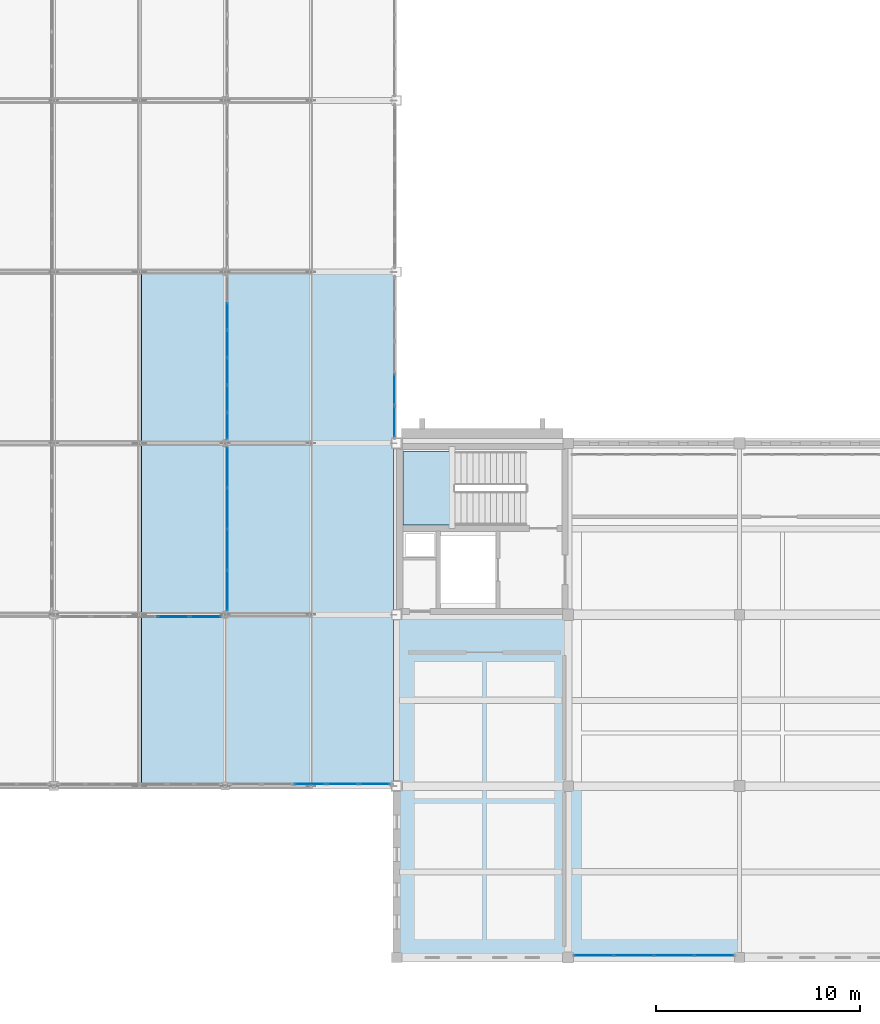
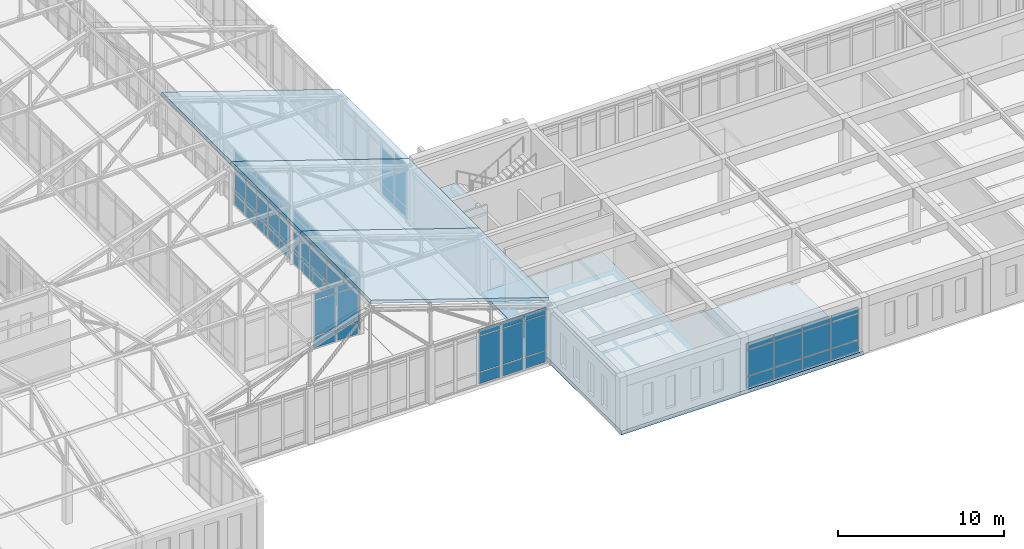
# One storey, part 115 of 192: 59 plates, 5 slabs, 7 elements without a shape of their own.
"""IFC4 building model written with IfcOpenShell, lengths in metres."""

from ifc_helpers import new_model, si_unit, direction, frame, origin, origin_2d, place, context, subcontext, project, spatial, polyline, rectangle, outline, extrude, material, layer, layer_set, type_object, element, aggregate, save


model = new_model("IFC4")

# Units and contexts
model_context = context("Model", 3, precision=1e-05, world=origin(), true_north=direction((0.0, 1.0)))
body_context = subcontext(model_context, "Body", "Model", "MODEL_VIEW")
ifc_project = project(units=[si_unit("LENGTHUNIT", "METRE"), si_unit("AREAUNIT", "SQUARE_METRE"), si_unit("VOLUMEUNIT", "CUBIC_METRE"), si_unit("PLANEANGLEUNIT", "RADIAN"), si_unit("MASSUNIT", "GRAM", prefix="KILO")], contexts=[model_context])

# Site, building, storey
site_placement = place(None, origin())
site = spatial("IfcSite", under=ifc_project, at=site_placement, CompositionType="ELEMENT")
building_placement = place(site_placement, origin())
building = spatial("IfcBuilding", under=site, at=building_placement, Name="Kveldsbrygga Polytechnic", CompositionType="ELEMENT")
storey_placement = place(building_placement, frame((0.0, 0.0, 5.43994140625)))
storey = spatial("IfcBuildingStorey", under=building, at=storey_placement, Name="L01", CompositionType="ELEMENT", Elevation=5.43994140625)

# Curtain wall, plates
ifc_material_1 = material(Name="Anodised aluminium AW-6060", Category="aluminium")
ifc_layer_1 = layer(ifc_material_1, 0.179931640625)
ifc_layer_set_1 = layer_set([ifc_layer_1], Name="Anodised aluminium AW-6060")
curtain_wall_type_1 = type_object("IfcCurtainWallType", Name="CW-LANC-D", PredefinedType="USERDEFINED", material=ifc_layer_set_1)
curtain_wall_1_placement = place(storey_placement, origin())
curtain_wall_1 = element("IfcCurtainWall", 1, at=curtain_wall_1_placement, inside=storey, type_object=curtain_wall_type_1, Name="Curtain Wall CW-L01-X-07-02", ObjectType="UNITISED CURTAIN WALL", PredefinedType="USERDEFINED")
ifc_material_2 = material(Name="Insulated triple low-E glass", Category="glass")
ifc_layer_2 = layer(ifc_material_2, 0.035888671875)
ifc_layer_set_2 = layer_set([ifc_layer_2], Name="Insulated triple low-E glass")
plate_type_1 = type_object("IfcPlateType", Name="CW-PAN-VIS36", PredefinedType="CURTAIN_PANEL", material=ifc_layer_set_2)
plate_1_placement = place(storey_placement, frame((64.64404296875, 16.699951171875, 0.06005859375), z_axis=(0.0, 0.0, 1.0), x_axis=(1.0, 0.0, 0.0)))
plate_1 = element("IfcPlate", 2, at=plate_1_placement, type_object=plate_type_1, Name="CW-04 panel 4.1", PredefinedType="CURTAIN_PANEL", context=body_context, shape_type="SweptSolid", body=[
    extrude(rectangle(XDim=1.5390625, YDim=0.035888671875, at=origin_2d()), origin(), (0.0, 0.0, 1.0), 0.81005859375),
])
plate_2_placement = place(storey_placement, frame((64.64404296875, 16.699951171875, 0.93017578125), z_axis=(0.0, 0.0, 1.0), x_axis=(1.0, 0.0, 0.0)))
plate_2 = element("IfcPlate", 3, at=plate_2_placement, type_object=plate_type_1, Name="CW-04 panel 4.2", PredefinedType="CURTAIN_PANEL", context=body_context, shape_type="SweptSolid", body=[
    extrude(rectangle(XDim=1.5390625, YDim=0.035888671875, at=origin_2d()), origin(), (0.0, 0.0, 1.0), 2.610107421875),
])
plate_3_placement = place(storey_placement, frame((64.64404296875, 16.699951171875, 3.60009765625), z_axis=(0.0, 0.0, 1.0), x_axis=(1.0, 0.0, 0.0)))
plate_3 = element("IfcPlate", 4, at=plate_3_placement, type_object=plate_type_1, Name="CW-04 panel 4.3", PredefinedType="CURTAIN_PANEL", context=body_context, shape_type="SweptSolid", body=[
    extrude(rectangle(XDim=1.5390625, YDim=0.035888671875, at=origin_2d()), origin(), (0.0, 0.0, 1.0), 0.4599609375),
])
plate_4_placement = place(storey_placement, frame((66.2392578125, 16.699951171875, 0.06005859375), z_axis=(0.0, 0.0, 1.0), x_axis=(1.0, 0.0, 0.0)))
plate_4 = element("IfcPlate", 5, at=plate_4_placement, type_object=plate_type_1, Name="CW-04 panel 5.1", PredefinedType="CURTAIN_PANEL", context=body_context, shape_type="SweptSolid", body=[
    extrude(rectangle(XDim=1.50146484375, YDim=0.035888671875, at=origin_2d()), origin(), (0.0, 0.0, 1.0), 0.81005859375),
])
plate_5_placement = place(storey_placement, frame((66.2392578125, 16.699951171875, 0.93017578125), z_axis=(0.0, 0.0, 1.0), x_axis=(1.0, 0.0, 0.0)))
plate_5 = element("IfcPlate", 6, at=plate_5_placement, type_object=plate_type_1, Name="CW-04 panel 5.2", PredefinedType="CURTAIN_PANEL", context=body_context, shape_type="SweptSolid", body=[
    extrude(rectangle(XDim=1.50146484375, YDim=0.035888671875, at=origin_2d()), origin(), (0.0, 0.0, 1.0), 2.610107421875),
])
plate_6_placement = place(storey_placement, frame((66.2392578125, 16.699951171875, 3.60009765625), z_axis=(0.0, 0.0, 1.0), x_axis=(1.0, 0.0, 0.0)))
plate_6 = element("IfcPlate", 7, at=plate_6_placement, type_object=plate_type_1, Name="CW-04 panel 5.3", PredefinedType="CURTAIN_PANEL", context=body_context, shape_type="SweptSolid", body=[
    extrude(rectangle(XDim=1.50146484375, YDim=0.035888671875, at=origin_2d()), origin(), (0.0, 0.0, 1.0), 0.4599609375),
])
aggregate(curtain_wall_1, [plate_1, plate_2, plate_3, plate_4, plate_5, plate_6])

curtain_wall_2_placement = place(storey_placement, origin())
curtain_wall_2 = element("IfcCurtainWall", 8, at=curtain_wall_2_placement, inside=storey, type_object=curtain_wall_type_1, Name="Curtain Wall CW-L01-X-08-01", ObjectType="UNITISED CURTAIN WALL", PredefinedType="USERDEFINED")
plate_7_placement = place(storey_placement, frame((71.362548828125, 8.5, 0.06005859375), z_axis=(0.0, 0.0, 1.0), x_axis=(1.0, 0.0, 0.0)))
plate_7 = element("IfcPlate", 9, at=plate_7_placement, type_object=plate_type_1, Name="CW-04 panel 3.1", PredefinedType="CURTAIN_PANEL", context=body_context, shape_type="SweptSolid", body=[
    extrude(rectangle(XDim=1.51611328125, YDim=0.035888671875, at=origin_2d()), origin(), (0.0, 0.0, 1.0), 0.81005859375),
])
plate_8_placement = place(storey_placement, frame((71.362548828125, 8.5, 0.93017578125), z_axis=(0.0, 0.0, 1.0), x_axis=(1.0, 0.0, 0.0)))
plate_8 = element("IfcPlate", 10, at=plate_8_placement, type_object=plate_type_1, Name="CW-04 panel 3.2", PredefinedType="CURTAIN_PANEL", context=body_context, shape_type="SweptSolid", body=[
    extrude(rectangle(XDim=1.51611328125, YDim=0.035888671875, at=origin_2d()), origin(), (0.0, 0.0, 1.0), 2.610107421875),
])
plate_9_placement = place(storey_placement, frame((71.362548828125, 8.5, 3.60009765625), z_axis=(0.0, 0.0, 1.0), x_axis=(1.0, 0.0, 0.0)))
plate_9 = element("IfcPlate", 11, at=plate_9_placement, type_object=plate_type_1, Name="CW-04 panel 3.3", PredefinedType="CURTAIN_PANEL", context=body_context, shape_type="SweptSolid", body=[
    extrude(rectangle(XDim=1.51611328125, YDim=0.035888671875, at=origin_2d()), origin(), (0.0, 0.0, 1.0), 0.4599609375),
])
plate_10_placement = place(storey_placement, frame((72.95361328125, 8.5, 0.06005859375), z_axis=(0.0, 0.0, 1.0), x_axis=(1.0, 0.0, 0.0)))
plate_10 = element("IfcPlate", 12, at=plate_10_placement, type_object=plate_type_1, Name="CW-04 panel 4.1", PredefinedType="CURTAIN_PANEL", context=body_context, shape_type="SweptSolid", body=[
    extrude(rectangle(XDim=1.51611328125, YDim=0.035888671875, at=origin_2d()), origin(), (0.0, 0.0, 1.0), 0.81005859375),
])
plate_11_placement = place(storey_placement, frame((72.95361328125, 8.5, 0.93017578125), z_axis=(0.0, 0.0, 1.0), x_axis=(1.0, 0.0, 0.0)))
plate_11 = element("IfcPlate", 13, at=plate_11_placement, type_object=plate_type_1, Name="CW-04 panel 4.2", PredefinedType="CURTAIN_PANEL", context=body_context, shape_type="SweptSolid", body=[
    extrude(rectangle(XDim=1.51611328125, YDim=0.035888671875, at=origin_2d()), origin(), (0.0, 0.0, 1.0), 2.610107421875),
])
plate_12_placement = place(storey_placement, frame((72.95361328125, 8.5, 3.60009765625), z_axis=(0.0, 0.0, 1.0), x_axis=(1.0, 0.0, 0.0)))
plate_12 = element("IfcPlate", 14, at=plate_12_placement, type_object=plate_type_1, Name="CW-04 panel 4.3", PredefinedType="CURTAIN_PANEL", context=body_context, shape_type="SweptSolid", body=[
    extrude(rectangle(XDim=1.51611328125, YDim=0.035888671875, at=origin_2d()), origin(), (0.0, 0.0, 1.0), 0.4599609375),
])
plate_13_placement = place(storey_placement, frame((74.525634765625, 8.5, 0.06005859375), z_axis=(0.0, 0.0, 1.0), x_axis=(1.0, 0.0, 0.0)))
plate_13 = element("IfcPlate", 15, at=plate_13_placement, type_object=plate_type_1, Name="CW-04 panel 5.1", PredefinedType="CURTAIN_PANEL", context=body_context, shape_type="SweptSolid", body=[
    extrude(rectangle(XDim=1.478515625, YDim=0.035888671875, at=origin_2d()), origin(), (0.0, 0.0, 1.0), 0.81005859375),
])
plate_14_placement = place(storey_placement, frame((74.525634765625, 8.5, 0.93017578125), z_axis=(0.0, 0.0, 1.0), x_axis=(1.0, 0.0, 0.0)))
plate_14 = element("IfcPlate", 16, at=plate_14_placement, type_object=plate_type_1, Name="CW-04 panel 5.2", PredefinedType="CURTAIN_PANEL", context=body_context, shape_type="SweptSolid", body=[
    extrude(rectangle(XDim=1.478515625, YDim=0.035888671875, at=origin_2d()), origin(), (0.0, 0.0, 1.0), 2.610107421875),
])
plate_15_placement = place(storey_placement, frame((74.525634765625, 8.5, 3.60009765625), z_axis=(0.0, 0.0, 1.0), x_axis=(1.0, 0.0, 0.0)))
plate_15 = element("IfcPlate", 17, at=plate_15_placement, type_object=plate_type_1, Name="CW-04 panel 5.3", PredefinedType="CURTAIN_PANEL", context=body_context, shape_type="SweptSolid", body=[
    extrude(rectangle(XDim=1.478515625, YDim=0.035888671875, at=origin_2d()), origin(), (0.0, 0.0, 1.0), 0.4599609375),
])
aggregate(curtain_wall_2, [plate_7, plate_8, plate_9, plate_10, plate_11, plate_12, plate_13, plate_14, plate_15])

ifc_layer_3 = layer(ifc_material_1, 0.18994140625)
ifc_layer_set_3 = layer_set([ifc_layer_3], Name="Anodised aluminium AW-6060")
curtain_wall_type_2 = type_object("IfcCurtainWallType", Name="CW-REFC-G", PredefinedType="USERDEFINED", material=ifc_layer_set_3)
curtain_wall_3_placement = place(storey_placement, origin())
curtain_wall_3 = element("IfcCurtainWall", 18, at=curtain_wall_3_placement, inside=storey, type_object=curtain_wall_type_2, Name="Curtain Wall CW-L01-Y-09-03", ObjectType="UNITISED CURTAIN WALL", PredefinedType="USERDEFINED")
plate_16_placement = place(storey_placement, frame((75.5, 26.270263671875, 0.06005859375), z_axis=(0.0, 0.0, 1.0), x_axis=(0.0, 1.0, 0.0)))
plate_16 = element("IfcPlate", 19, at=plate_16_placement, type_object=plate_type_1, Name="CW-07 panel 1.1", PredefinedType="CURTAIN_PANEL", context=body_context, shape_type="SweptSolid", body=[
    extrude(rectangle(XDim=1.470458984375, YDim=0.035888671875, at=origin_2d()), origin(), (0.0, 0.0, 1.0), 0.81005859375),
])
plate_17_placement = place(storey_placement, frame((75.5, 26.270263671875, 0.93017578125), z_axis=(0.0, 0.0, 1.0), x_axis=(0.0, 1.0, 0.0)))
plate_17 = element("IfcPlate", 20, at=plate_17_placement, type_object=plate_type_1, Name="CW-07 panel 1.2", PredefinedType="CURTAIN_PANEL", context=body_context, shape_type="SweptSolid", body=[
    extrude(rectangle(XDim=1.470458984375, YDim=0.035888671875, at=origin_2d()), origin(), (0.0, 0.0, 1.0), 2.610107421875),
])
plate_18_placement = place(storey_placement, frame((75.5, 26.270263671875, 3.60009765625), z_axis=(0.0, 0.0, 1.0), x_axis=(0.0, 1.0, 0.0)))
plate_18 = element("IfcPlate", 21, at=plate_18_placement, type_object=plate_type_1, Name="CW-07 panel 1.3", PredefinedType="CURTAIN_PANEL", context=body_context, shape_type="SweptSolid", body=[
    extrude(rectangle(XDim=1.470458984375, YDim=0.035888671875, at=origin_2d()), origin(), (0.0, 0.0, 1.0), 0.4599609375),
])
plate_19_placement = place(storey_placement, frame((75.5, 27.83447265625, 0.06005859375), z_axis=(0.0, 0.0, 1.0), x_axis=(0.0, 1.0, 0.0)))
plate_19 = element("IfcPlate", 22, at=plate_19_placement, type_object=plate_type_1, Name="CW-07 panel 2.1", PredefinedType="CURTAIN_PANEL", context=body_context, shape_type="SweptSolid", body=[
    extrude(rectangle(XDim=1.508056640625, YDim=0.035888671875, at=origin_2d()), origin(), (0.0, 0.0, 1.0), 0.81005859375),
])
plate_20_placement = place(storey_placement, frame((75.5, 27.83447265625, 0.93017578125), z_axis=(0.0, 0.0, 1.0), x_axis=(0.0, 1.0, 0.0)))
plate_20 = element("IfcPlate", 23, at=plate_20_placement, type_object=plate_type_1, Name="CW-07 panel 2.2", PredefinedType="CURTAIN_PANEL", context=body_context, shape_type="SweptSolid", body=[
    extrude(rectangle(XDim=1.508056640625, YDim=0.035888671875, at=origin_2d()), origin(), (0.0, 0.0, 1.0), 2.610107421875),
])
aggregate(curtain_wall_3, [plate_16, plate_17, plate_18, plate_19, plate_20])

ifc_layer_4 = layer(ifc_material_1, 0.199951171875)
ifc_layer_set_4 = layer_set([ifc_layer_4], Name="Anodised aluminium AW-6060")
curtain_wall_type_3 = type_object("IfcCurtainWallType", Name="CW-LANC-E", PredefinedType="USERDEFINED", material=ifc_layer_set_4)
curtain_wall_4_placement = place(storey_placement, origin())
curtain_wall_4 = element("IfcCurtainWall", 24, at=curtain_wall_4_placement, inside=storey, type_object=curtain_wall_type_3, Name="Curtain Wall CW-L01-Y-08-02", ObjectType="UNITISED CURTAIN WALL", PredefinedType="USERDEFINED")
ifc_layer_5 = layer(ifc_material_2, 0.0419921875)
ifc_layer_set_5 = layer_set([ifc_layer_5], Name="Insulated triple low-E glass")
plate_type_2 = type_object("IfcPlateType", Name="CW-PAN-VIS42", PredefinedType="CURTAIN_PANEL", material=ifc_layer_set_5)
plate_21_placement = place(storey_placement, frame((67.300048828125, 17.981201171875, 0.06005859375), z_axis=(0.0, 0.0, 1.0), x_axis=(0.0, 1.0, 0.0)))
plate_21 = element("IfcPlate", 25, at=plate_21_placement, type_object=plate_type_2, Name="CW-05 panel 1.1", PredefinedType="CURTAIN_PANEL", context=body_context, shape_type="SweptSolid", body=[
    extrude(rectangle(XDim=1.9326171875, YDim=0.0419921875, at=origin_2d()), origin(), (0.0, 0.0, 1.0), 0.81005859375),
])
plate_22_placement = place(storey_placement, frame((67.300048828125, 17.981201171875, 0.93017578125), z_axis=(0.0, 0.0, 1.0), x_axis=(0.0, 1.0, 0.0)))
plate_22 = element("IfcPlate", 26, at=plate_22_placement, type_object=plate_type_2, Name="CW-05 panel 1.2", PredefinedType="CURTAIN_PANEL", context=body_context, shape_type="SweptSolid", body=[
    extrude(rectangle(XDim=1.9326171875, YDim=0.0419921875, at=origin_2d()), origin(), (0.0, 0.0, 1.0), 2.610107421875),
])
plate_23_placement = place(storey_placement, frame((67.300048828125, 17.981201171875, 3.60009765625), z_axis=(0.0, 0.0, 1.0), x_axis=(0.0, 1.0, 0.0)))
plate_23 = element("IfcPlate", 27, at=plate_23_placement, type_object=plate_type_2, Name="CW-05 panel 1.3", PredefinedType="CURTAIN_PANEL", context=body_context, shape_type="SweptSolid", body=[
    extrude(rectangle(XDim=1.9326171875, YDim=0.0419921875, at=origin_2d()), origin(), (0.0, 0.0, 1.0), 0.4599609375),
])
plate_24_placement = place(storey_placement, frame((67.300048828125, 19.98876953125, 0.06005859375), z_axis=(0.0, 0.0, 1.0), x_axis=(0.0, 1.0, 0.0)))
plate_24 = element("IfcPlate", 28, at=plate_24_placement, type_object=plate_type_2, Name="CW-05 panel 2.1", PredefinedType="CURTAIN_PANEL", context=body_context, shape_type="SweptSolid", body=[
    extrude(rectangle(XDim=1.96240234375, YDim=0.0419921875, at=origin_2d()), origin(), (0.0, 0.0, 1.0), 0.81005859375),
])
plate_25_placement = place(storey_placement, frame((67.300048828125, 19.98876953125, 0.93017578125), z_axis=(0.0, 0.0, 1.0), x_axis=(0.0, 1.0, 0.0)))
plate_25 = element("IfcPlate", 29, at=plate_25_placement, type_object=plate_type_2, Name="CW-05 panel 2.2", PredefinedType="CURTAIN_PANEL", context=body_context, shape_type="SweptSolid", body=[
    extrude(rectangle(XDim=1.96240234375, YDim=0.0419921875, at=origin_2d()), origin(), (0.0, 0.0, 1.0), 2.610107421875),
])
plate_26_placement = place(storey_placement, frame((67.300048828125, 19.98876953125, 3.60009765625), z_axis=(0.0, 0.0, 1.0), x_axis=(0.0, 1.0, 0.0)))
plate_26 = element("IfcPlate", 30, at=plate_26_placement, type_object=plate_type_2, Name="CW-05 panel 2.3", PredefinedType="CURTAIN_PANEL", context=body_context, shape_type="SweptSolid", body=[
    extrude(rectangle(XDim=1.96240234375, YDim=0.0419921875, at=origin_2d()), origin(), (0.0, 0.0, 1.0), 0.4599609375),
])
plate_27_placement = place(storey_placement, frame((67.300048828125, 22.01123046875, 0.06005859375), z_axis=(0.0, 0.0, 1.0), x_axis=(0.0, 1.0, 0.0)))
plate_27 = element("IfcPlate", 31, at=plate_27_placement, type_object=plate_type_2, Name="CW-05 panel 3.1", PredefinedType="CURTAIN_PANEL", context=body_context, shape_type="SweptSolid", body=[
    extrude(rectangle(XDim=1.96240234375, YDim=0.0419921875, at=origin_2d()), origin(), (0.0, 0.0, 1.0), 0.81005859375),
])
plate_28_placement = place(storey_placement, frame((67.300048828125, 22.01123046875, 0.93017578125), z_axis=(0.0, 0.0, 1.0), x_axis=(0.0, 1.0, 0.0)))
plate_28 = element("IfcPlate", 32, at=plate_28_placement, type_object=plate_type_2, Name="CW-05 panel 3.2", PredefinedType="CURTAIN_PANEL", context=body_context, shape_type="SweptSolid", body=[
    extrude(rectangle(XDim=1.96240234375, YDim=0.0419921875, at=origin_2d()), origin(), (0.0, 0.0, 1.0), 2.610107421875),
])
plate_29_placement = place(storey_placement, frame((67.300048828125, 22.01123046875, 3.60009765625), z_axis=(0.0, 0.0, 1.0), x_axis=(0.0, 1.0, 0.0)))
plate_29 = element("IfcPlate", 33, at=plate_29_placement, type_object=plate_type_2, Name="CW-05 panel 3.3", PredefinedType="CURTAIN_PANEL", context=body_context, shape_type="SweptSolid", body=[
    extrude(rectangle(XDim=1.96240234375, YDim=0.0419921875, at=origin_2d()), origin(), (0.0, 0.0, 1.0), 0.4599609375),
])
plate_30_placement = place(storey_placement, frame((67.300048828125, 24.018798828125, 0.06005859375), z_axis=(0.0, 0.0, 1.0), x_axis=(0.0, 1.0, 0.0)))
plate_30 = element("IfcPlate", 34, at=plate_30_placement, type_object=plate_type_2, Name="CW-05 panel 4.1", PredefinedType="CURTAIN_PANEL", context=body_context, shape_type="SweptSolid", body=[
    extrude(rectangle(XDim=1.9326171875, YDim=0.0419921875, at=origin_2d()), origin(), (0.0, 0.0, 1.0), 0.81005859375),
])
plate_31_placement = place(storey_placement, frame((67.300048828125, 24.018798828125, 0.93017578125), z_axis=(0.0, 0.0, 1.0), x_axis=(0.0, 1.0, 0.0)))
plate_31 = element("IfcPlate", 35, at=plate_31_placement, type_object=plate_type_2, Name="CW-05 panel 4.2", PredefinedType="CURTAIN_PANEL", context=body_context, shape_type="SweptSolid", body=[
    extrude(rectangle(XDim=1.9326171875, YDim=0.0419921875, at=origin_2d()), origin(), (0.0, 0.0, 1.0), 2.610107421875),
])
plate_32_placement = place(storey_placement, frame((67.300048828125, 24.018798828125, 3.60009765625), z_axis=(0.0, 0.0, 1.0), x_axis=(0.0, 1.0, 0.0)))
plate_32 = element("IfcPlate", 36, at=plate_32_placement, type_object=plate_type_2, Name="CW-05 panel 4.3", PredefinedType="CURTAIN_PANEL", context=body_context, shape_type="SweptSolid", body=[
    extrude(rectangle(XDim=1.9326171875, YDim=0.0419921875, at=origin_2d()), origin(), (0.0, 0.0, 1.0), 0.4599609375),
])
aggregate(curtain_wall_4, [plate_21, plate_22, plate_23, plate_24, plate_25, plate_26, plate_27, plate_28, plate_29, plate_30, plate_31, plate_32])

curtain_wall_5_placement = place(storey_placement, origin())
curtain_wall_5 = element("IfcCurtainWall", 37, at=curtain_wall_5_placement, inside=storey, type_object=curtain_wall_type_3, Name="Curtain Wall CW-L01-X-10-00", ObjectType="UNITISED CURTAIN WALL", PredefinedType="USERDEFINED")
plate_33_placement = place(storey_placement, frame((85.26318359375, 0.10009765625, 0.06005859375), z_axis=(0.0, 0.0, 1.0), x_axis=(1.0, 0.0, 0.0)))
plate_33 = element("IfcPlate", 38, at=plate_33_placement, type_object=plate_type_2, Name="CW-05 panel 1.1", PredefinedType="CURTAIN_PANEL", context=body_context, shape_type="SweptSolid", body=[
    extrude(rectangle(XDim=1.88623046875, YDim=0.0419921875, at=origin_2d()), origin(), (0.0, 0.0, 1.0), 0.81005859375),
])
plate_34_placement = place(storey_placement, frame((85.26318359375, 0.10009765625, 0.929931640625), z_axis=(0.0, 0.0, 1.0), x_axis=(1.0, 0.0, 0.0)))
plate_34 = element("IfcPlate", 39, at=plate_34_placement, type_object=plate_type_2, Name="CW-05 panel 1.2", PredefinedType="CURTAIN_PANEL", context=body_context, shape_type="SweptSolid", body=[
    extrude(rectangle(XDim=1.88623046875, YDim=0.0419921875, at=origin_2d()), origin(), (0.0, 0.0, 1.0), 1.8701171875),
])
plate_35_placement = place(storey_placement, frame((85.26318359375, 0.10009765625, 2.860107421875), z_axis=(0.0, 0.0, 1.0), x_axis=(1.0, 0.0, 0.0)))
plate_35 = element("IfcPlate", 40, at=plate_35_placement, type_object=plate_type_2, Name="CW-05 panel 1.3", PredefinedType="CURTAIN_PANEL", context=body_context, shape_type="SweptSolid", body=[
    extrude(rectangle(XDim=1.88623046875, YDim=0.0419921875, at=origin_2d()), origin(), (0.0, 0.0, 1.0), 0.4599609375),
])
plate_36_placement = place(storey_placement, frame((87.224365234375, 0.10009765625, 0.06005859375), z_axis=(0.0, 0.0, 1.0), x_axis=(1.0, 0.0, 0.0)))
plate_36 = element("IfcPlate", 41, at=plate_36_placement, type_object=plate_type_2, Name="CW-05 panel 2.1", PredefinedType="CURTAIN_PANEL", context=body_context, shape_type="SweptSolid", body=[
    extrude(rectangle(XDim=1.916259765625, YDim=0.0419921875, at=origin_2d()), origin(), (0.0, 0.0, 1.0), 0.81005859375),
])
plate_37_placement = place(storey_placement, frame((87.224365234375, 0.10009765625, 0.929931640625), z_axis=(0.0, 0.0, 1.0), x_axis=(1.0, 0.0, 0.0)))
plate_37 = element("IfcPlate", 42, at=plate_37_placement, type_object=plate_type_2, Name="CW-05 panel 2.2", PredefinedType="CURTAIN_PANEL", context=body_context, shape_type="SweptSolid", body=[
    extrude(rectangle(XDim=1.916259765625, YDim=0.0419921875, at=origin_2d()), origin(), (0.0, 0.0, 1.0), 1.8701171875),
])
plate_38_placement = place(storey_placement, frame((87.224365234375, 0.10009765625, 2.860107421875), z_axis=(0.0, 0.0, 1.0), x_axis=(1.0, 0.0, 0.0)))
plate_38 = element("IfcPlate", 43, at=plate_38_placement, type_object=plate_type_2, Name="CW-05 panel 2.3", PredefinedType="CURTAIN_PANEL", context=body_context, shape_type="SweptSolid", body=[
    extrude(rectangle(XDim=1.916259765625, YDim=0.0419921875, at=origin_2d()), origin(), (0.0, 0.0, 1.0), 0.4599609375),
])
plate_39_placement = place(storey_placement, frame((89.20068359375, 0.10009765625, 0.06005859375), z_axis=(0.0, 0.0, 1.0), x_axis=(1.0, 0.0, 0.0)))
plate_39 = element("IfcPlate", 44, at=plate_39_placement, type_object=plate_type_2, Name="CW-05 panel 3.1", PredefinedType="CURTAIN_PANEL", context=body_context, shape_type="SweptSolid", body=[
    extrude(rectangle(XDim=1.916259765625, YDim=0.0419921875, at=origin_2d()), origin(), (0.0, 0.0, 1.0), 0.81005859375),
])
plate_40_placement = place(storey_placement, frame((89.20068359375, 0.10009765625, 0.929931640625), z_axis=(0.0, 0.0, 1.0), x_axis=(1.0, 0.0, 0.0)))
plate_40 = element("IfcPlate", 45, at=plate_40_placement, type_object=plate_type_2, Name="CW-05 panel 3.2", PredefinedType="CURTAIN_PANEL", context=body_context, shape_type="SweptSolid", body=[
    extrude(rectangle(XDim=1.916259765625, YDim=0.0419921875, at=origin_2d()), origin(), (0.0, 0.0, 1.0), 1.8701171875),
])
plate_41_placement = place(storey_placement, frame((89.20068359375, 0.10009765625, 2.860107421875), z_axis=(0.0, 0.0, 1.0), x_axis=(1.0, 0.0, 0.0)))
plate_41 = element("IfcPlate", 46, at=plate_41_placement, type_object=plate_type_2, Name="CW-05 panel 3.3", PredefinedType="CURTAIN_PANEL", context=body_context, shape_type="SweptSolid", body=[
    extrude(rectangle(XDim=1.916259765625, YDim=0.0419921875, at=origin_2d()), origin(), (0.0, 0.0, 1.0), 0.4599609375),
])
plate_42_placement = place(storey_placement, frame((91.161865234375, 0.10009765625, 0.06005859375), z_axis=(0.0, 0.0, 1.0), x_axis=(1.0, 0.0, 0.0)))
plate_42 = element("IfcPlate", 47, at=plate_42_placement, type_object=plate_type_2, Name="CW-05 panel 4.1", PredefinedType="CURTAIN_PANEL", context=body_context, shape_type="SweptSolid", body=[
    extrude(rectangle(XDim=1.88623046875, YDim=0.0419921875, at=origin_2d()), origin(), (0.0, 0.0, 1.0), 0.81005859375),
])
plate_43_placement = place(storey_placement, frame((91.161865234375, 0.10009765625, 0.929931640625), z_axis=(0.0, 0.0, 1.0), x_axis=(1.0, 0.0, 0.0)))
plate_43 = element("IfcPlate", 48, at=plate_43_placement, type_object=plate_type_2, Name="CW-05 panel 4.2", PredefinedType="CURTAIN_PANEL", context=body_context, shape_type="SweptSolid", body=[
    extrude(rectangle(XDim=1.88623046875, YDim=0.0419921875, at=origin_2d()), origin(), (0.0, 0.0, 1.0), 1.8701171875),
])
plate_44_placement = place(storey_placement, frame((91.161865234375, 0.10009765625, 2.860107421875), z_axis=(0.0, 0.0, 1.0), x_axis=(1.0, 0.0, 0.0)))
plate_44 = element("IfcPlate", 49, at=plate_44_placement, type_object=plate_type_2, Name="CW-05 panel 4.3", PredefinedType="CURTAIN_PANEL", context=body_context, shape_type="SweptSolid", body=[
    extrude(rectangle(XDim=1.88623046875, YDim=0.0419921875, at=origin_2d()), origin(), (0.0, 0.0, 1.0), 0.4599609375),
])
aggregate(curtain_wall_5, [plate_33, plate_34, plate_35, plate_36, plate_37, plate_38, plate_39, plate_40, plate_41, plate_42, plate_43, plate_44])

ifc_layer_6 = layer(ifc_material_1, 0.169921875)
ifc_layer_set_6 = layer_set([ifc_layer_6], Name="Anodised aluminium AW-6060")
curtain_wall_type_4 = type_object("IfcCurtainWallType", Name="CW-FOYR-F", PredefinedType="USERDEFINED", material=ifc_layer_set_6)
curtain_wall_6_placement = place(storey_placement, origin())
curtain_wall_6 = element("IfcCurtainWall", 50, at=curtain_wall_6_placement, inside=storey, type_object=curtain_wall_type_4, Name="Curtain Wall CW-L01-Y-08-03", ObjectType="STICK CURTAIN WALL", PredefinedType="USERDEFINED")
ifc_layer_7 = layer(ifc_material_2, 0.048095703125)
ifc_layer_set_7 = layer_set([ifc_layer_7], Name="Insulated triple low-E glass")
plate_type_3 = type_object("IfcPlateType", Name="CW-PAN-VIS48", PredefinedType="CURTAIN_PANEL", material=ifc_layer_set_7)
plate_45_placement = place(storey_placement, frame((67.300048828125, 26.044189453125, 0.074951171875), z_axis=(0.0, 0.0, 1.0), x_axis=(0.0, 1.0, 0.0)))
plate_45 = element("IfcPlate", 51, at=plate_45_placement, type_object=plate_type_3, Name="CW-06 panel 1.1", PredefinedType="CURTAIN_PANEL", context=body_context, shape_type="SweptSolid", body=[
    extrude(rectangle(XDim=1.25830078125, YDim=0.048095703125, at=origin_2d()), origin(), (0.0, 0.0, 1.0), 0.78759765625),
])
plate_46_placement = place(storey_placement, frame((67.300048828125, 26.044189453125, 0.9375), z_axis=(0.0, 0.0, 1.0), x_axis=(0.0, 1.0, 0.0)))
plate_46 = element("IfcPlate", 52, at=plate_46_placement, type_object=plate_type_3, Name="CW-06 panel 1.2", PredefinedType="CURTAIN_PANEL", context=body_context, shape_type="SweptSolid", body=[
    extrude(rectangle(XDim=1.25830078125, YDim=0.048095703125, at=origin_2d()), origin(), (0.0, 0.0, 1.0), 2.594970703125),
])
plate_47_placement = place(storey_placement, frame((67.300048828125, 26.044189453125, 3.607666015625), z_axis=(0.0, 0.0, 1.0), x_axis=(0.0, 1.0, 0.0)))
plate_47 = element("IfcPlate", 53, at=plate_47_placement, type_object=plate_type_3, Name="CW-06 panel 1.3", PredefinedType="CURTAIN_PANEL", context=body_context, shape_type="SweptSolid", body=[
    extrude(rectangle(XDim=1.25830078125, YDim=0.048095703125, at=origin_2d()), origin(), (0.0, 0.0, 1.0), 0.4375),
])
plate_48_placement = place(storey_placement, frame((67.300048828125, 27.37744140625, 0.074951171875), z_axis=(0.0, 0.0, 1.0), x_axis=(0.0, 1.0, 0.0)))
plate_48 = element("IfcPlate", 54, at=plate_48_placement, type_object=plate_type_3, Name="CW-06 panel 2.1", PredefinedType="CURTAIN_PANEL", context=body_context, shape_type="SweptSolid", body=[
    extrude(rectangle(XDim=1.288330078125, YDim=0.048095703125, at=origin_2d()), origin(), (0.0, 0.0, 1.0), 0.78759765625),
])
plate_49_placement = place(storey_placement, frame((67.300048828125, 27.37744140625, 0.9375), z_axis=(0.0, 0.0, 1.0), x_axis=(0.0, 1.0, 0.0)))
plate_49 = element("IfcPlate", 55, at=plate_49_placement, type_object=plate_type_3, Name="CW-06 panel 2.2", PredefinedType="CURTAIN_PANEL", context=body_context, shape_type="SweptSolid", body=[
    extrude(rectangle(XDim=1.288330078125, YDim=0.048095703125, at=origin_2d()), origin(), (0.0, 0.0, 1.0), 2.594970703125),
])
plate_50_placement = place(storey_placement, frame((67.300048828125, 27.37744140625, 3.607666015625), z_axis=(0.0, 0.0, 1.0), x_axis=(0.0, 1.0, 0.0)))
plate_50 = element("IfcPlate", 56, at=plate_50_placement, type_object=plate_type_3, Name="CW-06 panel 2.3", PredefinedType="CURTAIN_PANEL", context=body_context, shape_type="SweptSolid", body=[
    extrude(rectangle(XDim=1.288330078125, YDim=0.048095703125, at=origin_2d()), origin(), (0.0, 0.0, 1.0), 0.4375),
])
plate_51_placement = place(storey_placement, frame((67.300048828125, 28.725830078125, 0.074951171875), z_axis=(0.0, 0.0, 1.0), x_axis=(0.0, 1.0, 0.0)))
plate_51 = element("IfcPlate", 57, at=plate_51_placement, type_object=plate_type_3, Name="CW-06 panel 3.1", PredefinedType="CURTAIN_PANEL", context=body_context, shape_type="SweptSolid", body=[
    extrude(rectangle(XDim=1.288330078125, YDim=0.048095703125, at=origin_2d()), origin(), (0.0, 0.0, 1.0), 0.78759765625),
])
plate_52_placement = place(storey_placement, frame((67.300048828125, 28.725830078125, 0.9375), z_axis=(0.0, 0.0, 1.0), x_axis=(0.0, 1.0, 0.0)))
plate_52 = element("IfcPlate", 58, at=plate_52_placement, type_object=plate_type_3, Name="CW-06 panel 3.2", PredefinedType="CURTAIN_PANEL", context=body_context, shape_type="SweptSolid", body=[
    extrude(rectangle(XDim=1.288330078125, YDim=0.048095703125, at=origin_2d()), origin(), (0.0, 0.0, 1.0), 2.594970703125),
])
plate_53_placement = place(storey_placement, frame((67.300048828125, 28.725830078125, 3.607666015625), z_axis=(0.0, 0.0, 1.0), x_axis=(0.0, 1.0, 0.0)))
plate_53 = element("IfcPlate", 59, at=plate_53_placement, type_object=plate_type_3, Name="CW-06 panel 3.3", PredefinedType="CURTAIN_PANEL", context=body_context, shape_type="SweptSolid", body=[
    extrude(rectangle(XDim=1.288330078125, YDim=0.048095703125, at=origin_2d()), origin(), (0.0, 0.0, 1.0), 0.4375),
])
plate_54_placement = place(storey_placement, frame((67.300048828125, 30.07421875, 0.074951171875), z_axis=(0.0, 0.0, 1.0), x_axis=(0.0, 1.0, 0.0)))
plate_54 = element("IfcPlate", 60, at=plate_54_placement, type_object=plate_type_3, Name="CW-06 panel 4.1", PredefinedType="CURTAIN_PANEL", context=body_context, shape_type="SweptSolid", body=[
    extrude(rectangle(XDim=1.288330078125, YDim=0.048095703125, at=origin_2d()), origin(), (0.0, 0.0, 1.0), 0.78759765625),
])
plate_55_placement = place(storey_placement, frame((67.300048828125, 30.07421875, 0.9375), z_axis=(0.0, 0.0, 1.0), x_axis=(0.0, 1.0, 0.0)))
plate_55 = element("IfcPlate", 61, at=plate_55_placement, type_object=plate_type_3, Name="CW-06 panel 4.2", PredefinedType="CURTAIN_PANEL", context=body_context, shape_type="SweptSolid", body=[
    extrude(rectangle(XDim=1.288330078125, YDim=0.048095703125, at=origin_2d()), origin(), (0.0, 0.0, 1.0), 2.594970703125),
])
plate_56_placement = place(storey_placement, frame((67.300048828125, 30.07421875, 3.607666015625), z_axis=(0.0, 0.0, 1.0), x_axis=(0.0, 1.0, 0.0)))
plate_56 = element("IfcPlate", 62, at=plate_56_placement, type_object=plate_type_3, Name="CW-06 panel 4.3", PredefinedType="CURTAIN_PANEL", context=body_context, shape_type="SweptSolid", body=[
    extrude(rectangle(XDim=1.288330078125, YDim=0.048095703125, at=origin_2d()), origin(), (0.0, 0.0, 1.0), 0.4375),
])
plate_57_placement = place(storey_placement, frame((67.300048828125, 31.422607421875, 0.074951171875), z_axis=(0.0, 0.0, 1.0), x_axis=(0.0, 1.0, 0.0)))
plate_57 = element("IfcPlate", 63, at=plate_57_placement, type_object=plate_type_3, Name="CW-06 panel 5.1", PredefinedType="CURTAIN_PANEL", context=body_context, shape_type="SweptSolid", body=[
    extrude(rectangle(XDim=1.288330078125, YDim=0.048095703125, at=origin_2d()), origin(), (0.0, 0.0, 1.0), 0.78759765625),
])
plate_58_placement = place(storey_placement, frame((67.300048828125, 31.422607421875, 0.9375), z_axis=(0.0, 0.0, 1.0), x_axis=(0.0, 1.0, 0.0)))
plate_58 = element("IfcPlate", 64, at=plate_58_placement, type_object=plate_type_3, Name="CW-06 panel 5.2", PredefinedType="CURTAIN_PANEL", context=body_context, shape_type="SweptSolid", body=[
    extrude(rectangle(XDim=1.288330078125, YDim=0.048095703125, at=origin_2d()), origin(), (0.0, 0.0, 1.0), 2.594970703125),
])
plate_59_placement = place(storey_placement, frame((67.300048828125, 31.422607421875, 3.607666015625), z_axis=(0.0, 0.0, 1.0), x_axis=(0.0, 1.0, 0.0)))
plate_59 = element("IfcPlate", 65, at=plate_59_placement, type_object=plate_type_3, Name="CW-06 panel 5.3", PredefinedType="CURTAIN_PANEL", context=body_context, shape_type="SweptSolid", body=[
    extrude(rectangle(XDim=1.288330078125, YDim=0.048095703125, at=origin_2d()), origin(), (0.0, 0.0, 1.0), 0.4375),
])
aggregate(curtain_wall_6, [plate_45, plate_46, plate_47, plate_48, plate_49, plate_50, plate_51, plate_52, plate_53, plate_54, plate_55, plate_56, plate_57, plate_58, plate_59])

# Stair, slab
ifc_material_3 = material(Name="Concrete C35/45", Category="concrete")
stair_type = type_object("IfcStairType", Name="STR-CORE-442", PredefinedType="HALF_TURN_STAIR", material=ifc_material_3)
stair_placement = place(storey_placement, origin())
stair = element("IfcStair", 66, at=stair_placement, inside=storey, type_object=stair_type, Name="L01 Core C6 Escape Stair ST-6", PredefinedType="HALF_TURN_STAIR")
ifc_layer_8 = layer(ifc_material_3, 0.199951171875)
ifc_layer_set_8 = layer_set([ifc_layer_8], Name="Concrete C35/45")
slab_type_1 = type_object("IfcSlabType", Name="SLB-LANDING-200", PredefinedType="LANDING", material=ifc_layer_set_8)
slab_1_placement = place(storey_placement, frame((0.0, 0.0, 2.010009765625)))
slab_1 = element("IfcSlab", 67, at=slab_1_placement, type_object=slab_type_1, Name="ST-6 landing 1", PredefinedType="LANDING", context=body_context, shape_type="SweptSolid", body=[
    extrude(outline(polyline([(78.469970703125, 24.800048828125), (75.89990234375, 24.800048828125), (75.89990234375, 21.199951171875), (78.469970703125, 21.199951171875), (78.469970703125, 24.800048828125)])), origin(), (0.0, 0.0, 1.0), 0.199951171875),
])
aggregate(stair, [slab_1])

# Slabs
ifc_layer_9 = layer(ifc_material_3, 0.219970703125)
ifc_layer_set_9 = layer_set([ifc_layer_9], Name="Concrete C35/45")
slab_type_2 = type_object("IfcSlabType", Name="SLB-ROOF-220", PredefinedType="ROOF", material=ifc_layer_set_9)
slab_2_placement = place(storey_placement, frame((63.089599609375, 8.39990234375, 8.896240234375), z_axis=(0.31622213995, 0.0, 0.948685173388), x_axis=(0.948685173388, 0.0, -0.31622213995)))
element("IfcSlab", 68, at=slab_2_placement, inside=storey, type_object=slab_type_2, Name="Pitched Roof Slab V5C-RSLB-1-2", PredefinedType="ROOF", context=body_context, shape_type="SweptSolid", body=[
    extrude(outline(polyline([(0.0, 0.0), (13.018377585447984, 0.0), (13.018377585447984, 8.400146484375), (0.0, 8.400146484375), (0.0, 0.0)])), origin(), (0.0, 0.0, -1.0), 0.219970703125),
])
slab_3_placement = place(storey_placement, frame((63.089599609375, 16.800048828125, 8.896240234375), z_axis=(0.31622213995, 0.0, 0.948685173388), x_axis=(0.948685173388, 0.0, -0.31622213995)))
element("IfcSlab", 69, at=slab_3_placement, inside=storey, type_object=slab_type_2, Name="Pitched Roof Slab V5C-RSLB-2-2", PredefinedType="ROOF", context=body_context, shape_type="SweptSolid", body=[
    extrude(outline(polyline([(0.0, 0.0), (13.018377585447984, 0.0), (13.018377585447984, 8.39990234375), (0.0, 8.39990234375), (0.0, 0.0)])), origin(), (0.0, 0.0, -1.0), 0.219970703125),
])
slab_4_placement = place(storey_placement, frame((63.089599609375, 25.199951171875, 8.896240234375), z_axis=(0.31622213995, 0.0, 0.948685173388), x_axis=(0.948685173388, 0.0, -0.31622213995)))
element("IfcSlab", 70, at=slab_4_placement, inside=storey, type_object=slab_type_2, Name="Pitched Roof Slab V5C-RSLB-3-2", PredefinedType="ROOF", context=body_context, shape_type="SweptSolid", body=[
    extrude(outline(polyline([(0.0, 0.0), (13.018377585447984, 0.0), (13.018377585447984, 8.400146484375), (0.0, 8.400146484375), (0.0, 0.0)])), origin(), (0.0, 0.0, -1.0), 0.219970703125),
])
ifc_layer_10 = layer(ifc_material_3, 0.280029296875)
ifc_layer_set_10 = layer_set([ifc_layer_10], Name="Concrete C35/45")
slab_type_3 = type_object("IfcSlabType", Name="SLB-STD-280", PredefinedType="FLOOR", material=ifc_layer_set_10)
slab_5_placement = place(storey_placement, frame((0.0, 0.0, -0.280029296875)))
element("IfcSlab", 71, at=slab_5_placement, inside=storey, type_object=slab_type_3, Name="Slab SLB-L01-V3-L01-1", PredefinedType="FLOOR", context=body_context, shape_type="SweptSolid", body=[
    extrude(outline(polyline([(75.60009765625, 0.0), (75.60009765625, 8.39990234375), (75.60009765625, 16.800048828125), (84.0, 16.800048828125), (84.0, 8.39990234375), (92.39990234375, 8.39990234375), (92.39990234375, 0.0), (84.0, 0.0), (75.60009765625, 0.0)])), origin(), (0.0, 0.0, 1.0), 0.280029296875),
])

save(model, "model.ifc")
